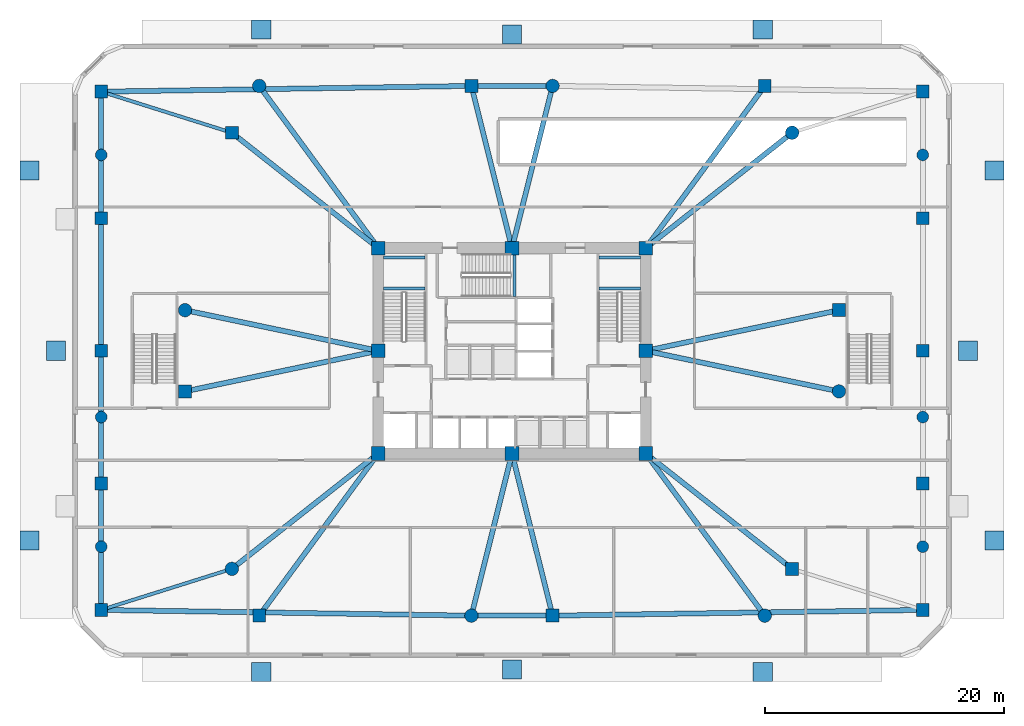
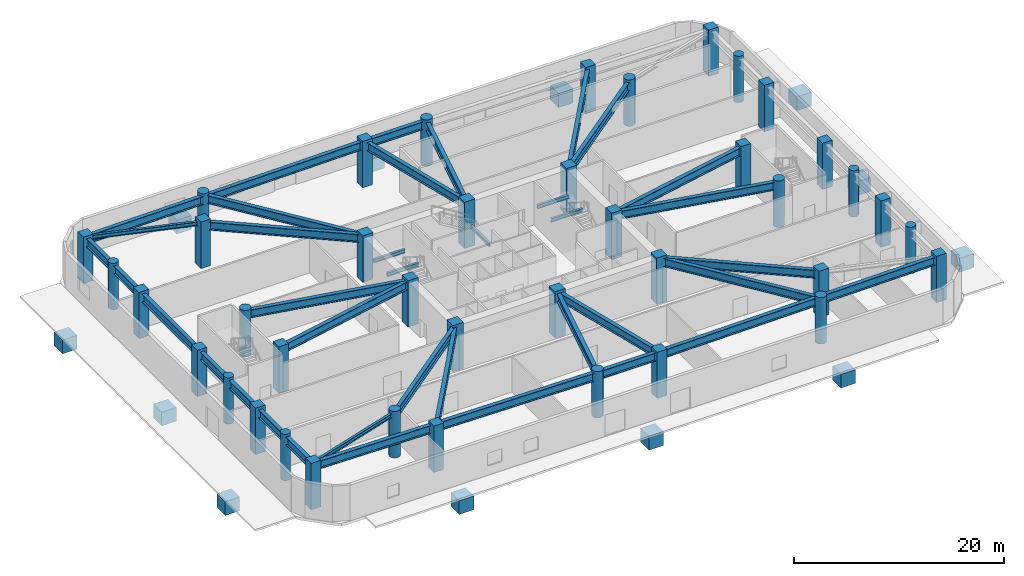
# One storey, part 1 of 9: 40 columns, 32 beams, 12 footings.
"""IFC4 building model written with IfcOpenShell, lengths in metres."""

from ifc_helpers import new_model, si_unit, derived_unit, direction, frame, origin, origin_2d, place, context, subcontext, project, spatial, polyline, rectangle, circle, i_section, outline, extrude, material, layer, layer_set, material_profile, profile_set, type_object, element, save


model = new_model("IFC4")

# Units and contexts
model_context = context("Model", 3, precision=1e-05, world=origin(), true_north=direction((0.0, 1.0)))
body_context = subcontext(model_context, "Body", "Model", "MODEL_VIEW")
ifc_project = project(units=[si_unit("LENGTHUNIT", "METRE"), si_unit("AREAUNIT", "SQUARE_METRE"), si_unit("VOLUMEUNIT", "CUBIC_METRE"), si_unit("PLANEANGLEUNIT", "RADIAN"), si_unit("MASSUNIT", "GRAM", prefix="KILO"), derived_unit("THERMALTRANSMITTANCEUNIT", [(si_unit("POWERUNIT", "WATT"), 1), (si_unit("LENGTHUNIT", "METRE"), -2), (si_unit("THERMODYNAMICTEMPERATUREUNIT", "KELVIN"), -1)])], contexts=[model_context])

# Site, building, storey
site_placement = place(None, origin())
site = spatial("IfcSite", under=ifc_project, at=site_placement, CompositionType="ELEMENT")
building_placement = place(site_placement, origin())
building = spatial("IfcBuilding", under=site, at=building_placement, Name="Koralith Skygarden Medical Center", CompositionType="ELEMENT")
storey_placement = place(building_placement, origin())
storey = spatial("IfcBuildingStorey", under=building, at=storey_placement, Name="L00", CompositionType="ELEMENT", Elevation=0.0)

# Footings
ifc_material_1 = material(Name="Concrete C55/67", Category="concrete")
ifc_layer = layer(ifc_material_1, 1.60009765625)
ifc_layer_set = layer_set([ifc_layer], Name="Concrete C55/67")
footing_type = type_object("IfcFootingType", Name="Plaza Pier Pad Footing 1600", PredefinedType="PAD_FOOTING", material=ifc_layer_set)
footing_1_placement = place(storey_placement, frame((0.0, 0.0, -1.820068359375)))
element("IfcFooting", 1, at=footing_1_placement, inside=storey, type_object=footing_type, Name="Plaza Apron Grade Footing PW-1", PredefinedType="PAD_FOOTING", context=body_context, shape_type="SweptSolid", body=[
    extrude(outline(polyline([(-4.199951171875, 9.199951171875), (-2.60009765625, 9.199951171875), (-2.60009765625, 10.800048828125), (-4.199951171875, 10.800048828125), (-4.199951171875, 9.199951171875)])), origin(), (0.0, 0.0, 1.0), 1.60009765625),
])
footing_2_placement = place(storey_placement, frame((0.0, 0.0, -1.820068359375)))
element("IfcFooting", 2, at=footing_2_placement, inside=storey, type_object=footing_type, Name="Plaza Apron Grade Footing PW-2", PredefinedType="PAD_FOOTING", context=body_context, shape_type="SweptSolid", body=[
    extrude(outline(polyline([(-2.0, 25.10009765625), (-0.39990234375, 25.10009765625), (-0.39990234375, 26.699951171875), (-2.0, 26.699951171875), (-2.0, 25.10009765625)])), origin(), (0.0, 0.0, 1.0), 1.60009765625),
])
footing_3_placement = place(storey_placement, frame((0.0, 0.0, -1.820068359375)))
element("IfcFooting", 3, at=footing_3_placement, inside=storey, type_object=footing_type, Name="Plaza Apron Grade Footing PW-3", PredefinedType="PAD_FOOTING", context=body_context, shape_type="SweptSolid", body=[
    extrude(outline(polyline([(-4.199951171875, 40.199951171875), (-2.60009765625, 40.199951171875), (-2.60009765625, 41.800048828125), (-4.199951171875, 41.800048828125), (-4.199951171875, 40.199951171875)])), origin(), (0.0, 0.0, 1.0), 1.60009765625),
])
footing_4_placement = place(storey_placement, frame((0.0, 0.0, -1.820068359375)))
element("IfcFooting", 4, at=footing_4_placement, inside=storey, type_object=footing_type, Name="Plaza Apron Grade Footing PE-1", PredefinedType="PAD_FOOTING", context=body_context, shape_type="SweptSolid", body=[
    extrude(outline(polyline([(76.60009765625, 9.199951171875), (78.199951171875, 9.199951171875), (78.199951171875, 10.800048828125), (76.60009765625, 10.800048828125), (76.60009765625, 9.199951171875)])), origin(), (0.0, 0.0, 1.0), 1.60009765625),
])
footing_5_placement = place(storey_placement, frame((0.0, 0.0, -1.820068359375)))
element("IfcFooting", 5, at=footing_5_placement, inside=storey, type_object=footing_type, Name="Plaza Apron Grade Footing PE-2", PredefinedType="PAD_FOOTING", context=body_context, shape_type="SweptSolid", body=[
    extrude(outline(polyline([(74.39990234375, 25.10009765625), (76.0, 25.10009765625), (76.0, 26.699951171875), (74.39990234375, 26.699951171875), (74.39990234375, 25.10009765625)])), origin(), (0.0, 0.0, 1.0), 1.60009765625),
])
footing_6_placement = place(storey_placement, frame((0.0, 0.0, -1.820068359375)))
element("IfcFooting", 6, at=footing_6_placement, inside=storey, type_object=footing_type, Name="Plaza Apron Grade Footing PE-3", PredefinedType="PAD_FOOTING", context=body_context, shape_type="SweptSolid", body=[
    extrude(outline(polyline([(76.60009765625, 40.199951171875), (78.199951171875, 40.199951171875), (78.199951171875, 41.800048828125), (76.60009765625, 41.800048828125), (76.60009765625, 40.199951171875)])), origin(), (0.0, 0.0, 1.0), 1.60009765625),
])
footing_7_placement = place(storey_placement, frame((0.0, 0.0, -1.820068359375)))
element("IfcFooting", 7, at=footing_7_placement, inside=storey, type_object=footing_type, Name="Plaza Apron Grade Footing PS-1", PredefinedType="PAD_FOOTING", context=body_context, shape_type="SweptSolid", body=[
    extrude(outline(polyline([(15.199951171875, -1.800048828125), (16.800048828125, -1.800048828125), (16.800048828125, -0.199951171875), (15.199951171875, -0.199951171875), (15.199951171875, -1.800048828125)])), origin(), (0.0, 0.0, 1.0), 1.60009765625),
])
footing_8_placement = place(storey_placement, frame((0.0, 0.0, -1.820068359375)))
element("IfcFooting", 8, at=footing_8_placement, inside=storey, type_object=footing_type, Name="Plaza Apron Grade Footing PS-2", PredefinedType="PAD_FOOTING", context=body_context, shape_type="SweptSolid", body=[
    extrude(outline(polyline([(36.199951171875, -1.60009765625), (37.800048828125, -1.60009765625), (37.800048828125, 0.0), (36.199951171875, 0.0), (36.199951171875, -1.60009765625)])), origin(), (0.0, 0.0, 1.0), 1.60009765625),
])
footing_9_placement = place(storey_placement, frame((0.0, 0.0, -1.820068359375)))
element("IfcFooting", 9, at=footing_9_placement, inside=storey, type_object=footing_type, Name="Plaza Apron Grade Footing PS-3", PredefinedType="PAD_FOOTING", context=body_context, shape_type="SweptSolid", body=[
    extrude(outline(polyline([(57.199951171875, -1.800048828125), (58.800048828125, -1.800048828125), (58.800048828125, -0.199951171875), (57.199951171875, -0.199951171875), (57.199951171875, -1.800048828125)])), origin(), (0.0, 0.0, 1.0), 1.60009765625),
])
footing_10_placement = place(storey_placement, frame((0.0, 0.0, -1.820068359375)))
element("IfcFooting", 10, at=footing_10_placement, inside=storey, type_object=footing_type, Name="Plaza Apron Grade Footing PN-1", PredefinedType="PAD_FOOTING", context=body_context, shape_type="SweptSolid", body=[
    extrude(outline(polyline([(15.199951171875, 52.0), (16.800048828125, 52.0), (16.800048828125, 53.60009765625), (15.199951171875, 53.60009765625), (15.199951171875, 52.0)])), origin(), (0.0, 0.0, 1.0), 1.60009765625),
])
footing_11_placement = place(storey_placement, frame((0.0, 0.0, -1.820068359375)))
element("IfcFooting", 11, at=footing_11_placement, inside=storey, type_object=footing_type, Name="Plaza Apron Grade Footing PN-2", PredefinedType="PAD_FOOTING", context=body_context, shape_type="SweptSolid", body=[
    extrude(outline(polyline([(36.199951171875, 51.60009765625), (37.800048828125, 51.60009765625), (37.800048828125, 53.199951171875), (36.199951171875, 53.199951171875), (36.199951171875, 51.60009765625)])), origin(), (0.0, 0.0, 1.0), 1.60009765625),
])
footing_12_placement = place(storey_placement, frame((0.0, 0.0, -1.820068359375)))
element("IfcFooting", 12, at=footing_12_placement, inside=storey, type_object=footing_type, Name="Plaza Apron Grade Footing PN-3", PredefinedType="PAD_FOOTING", context=body_context, shape_type="SweptSolid", body=[
    extrude(outline(polyline([(57.199951171875, 52.0), (58.800048828125, 52.0), (58.800048828125, 53.60009765625), (57.199951171875, 53.60009765625), (57.199951171875, 52.0)])), origin(), (0.0, 0.0, 1.0), 1.60009765625),
])

# Columns
ifc_material_profile_1 = material_profile(ifc_material_1, circle(Radius=0.489990234375, at=origin_2d()), Name="RCCOL980")
ifc_profile_set_1 = profile_set([ifc_material_profile_1], Name="Concrete C55/67")
column_type_1 = type_object("IfcColumnType", Name="Concourse Entrance Pilaster C55 D980", PredefinedType="PILASTER", material=ifc_profile_set_1)
for number, where, z_axis, x_axis, name in (
    (13, (2.60009765625, 9.5, 0.0), (0.0, 0.0, 1.0), (1.0, 0.0, 0.0), "L00 Concourse Entrance Pilaster PL-01"),
    (14, (2.60009765625, 20.35009765625, 0.0), (0.0, 0.0, 1.0), (1.0, 0.0, 0.0), "L00 Concourse Entrance Pilaster PL-02"),
    (15, (2.60009765625, 42.300048828125, 0.0), (0.0, 0.0, 1.0), (1.0, 0.0, 0.0), "L00 Concourse Entrance Pilaster PL-03"),
    (16, (71.39990234375, 9.5, 0.0), (0.0, 0.0, 1.0), (1.0, 0.0, 0.0), "L00 Concourse Entrance Pilaster PL-04"),
    (17, (71.39990234375, 20.35009765625, 0.0), (0.0, 0.0, 1.0), (1.0, 0.0, 0.0), "L00 Concourse Entrance Pilaster PL-05"),
    (18, (71.39990234375, 42.300048828125, 0.0), (0.0, 0.0, 1.0), (1.0, 0.0, 0.0), "L00 Concourse Entrance Pilaster PL-06"),
):
    element("IfcColumn", number, at=place(storey_placement, frame(where, z_axis=z_axis, x_axis=x_axis)), inside=storey, type_object=column_type_1, Name=name, PredefinedType="PILASTER", context=body_context, shape_type="SweptSolid", body=[
        extrude(circle(Radius=0.489990234375, at=origin_2d()), origin(), (0.0, 0.0, 1.0), 5.39990234375),
    ])
ifc_material_2 = material(Name="Concrete C70/85", Category="concrete")
ifc_material_profile_2 = material_profile(ifc_material_2, rectangle(XDim=1.139892578125, YDim=1.139892578125, at=origin_2d()), Name="RC1140X1140")
ifc_profile_set_2 = profile_set([ifc_material_profile_2], Name="Concrete C70/85")
column_type_2 = type_object("IfcColumnType", Name="Core Mega-Column C70 RC1140", PredefinedType="COLUMN", material=ifc_profile_set_2)
for number, where, z_axis, x_axis, name in (
    (19, (25.800048828125, 17.300048828125, 0.0), (0.0, 0.0, 1.0), (1.0, 0.0, 0.0), "L00 Core Column CC-01"),
    (20, (37.0, 17.300048828125, 0.0), (0.0, 0.0, 1.0), (1.0, 0.0, 0.0), "L00 Core Column CC-02"),
    (21, (48.199951171875, 17.300048828125, 0.0), (0.0, 0.0, 1.0), (1.0, 0.0, 0.0), "L00 Core Column CC-03"),
    (22, (48.199951171875, 25.89990234375, 0.0), (0.0, 0.0, 1.0), (1.0, 0.0, 0.0), "L00 Core Column CC-04"),
    (23, (48.199951171875, 34.5, 0.0), (0.0, 0.0, 1.0), (1.0, 0.0, 0.0), "L00 Core Column CC-05"),
    (24, (37.0, 34.5, 0.0), (0.0, 0.0, 1.0), (1.0, 0.0, 0.0), "L00 Core Column CC-06"),
    (25, (25.800048828125, 34.5, 0.0), (0.0, 0.0, 1.0), (1.0, 0.0, 0.0), "L00 Core Column CC-07"),
    (26, (25.800048828125, 25.89990234375, 0.0), (0.0, 0.0, 1.0), (1.0, 0.0, 0.0), "L00 Core Column CC-08"),
):
    element("IfcColumn", number, at=place(storey_placement, frame(where, z_axis=z_axis, x_axis=x_axis)), inside=storey, type_object=column_type_2, Name=name, PredefinedType="COLUMN", context=body_context, shape_type="SweptSolid", body=[
        extrude(rectangle(XDim=1.139892578125, YDim=1.139892578125, at=origin_2d()), origin(), (0.0, 0.0, 1.0), 5.39990234375),
    ])
ifc_material_profile_3 = material_profile(ifc_material_2, rectangle(XDim=1.080078125, YDim=1.080078125, at=origin_2d()), Name="RC1080X1080")
ifc_profile_set_3 = profile_set([ifc_material_profile_3], Name="Concrete C70/85")
column_type_3 = type_object("IfcColumnType", Name="Podium Perimeter Column C70 RC1080", PredefinedType="COLUMN", material=ifc_profile_set_3)
for number, where, z_axis, x_axis, name in (
    (27, (2.60009765625, 4.199951171875, 0.0), (0.0, 0.0, 1.0), (1.0, 0.0, 0.0), "L00 Podium Perimeter Column PC-01"),
    (28, (2.60009765625, 14.800048828125, 0.0), (0.0, 0.0, 1.0), (1.0, 0.0, 0.0), "L00 Podium Perimeter Column PC-02"),
    (29, (2.60009765625, 25.89990234375, 0.0), (0.0, 0.0, 1.0), (1.0, 0.0, 0.0), "L00 Podium Perimeter Column PC-03"),
    (30, (2.60009765625, 37.0, 0.0), (0.0, 0.0, 1.0), (1.0, 0.0, 0.0), "L00 Podium Perimeter Column PC-04"),
    (31, (2.60009765625, 47.60009765625, 0.0), (0.0, 0.0, 1.0), (1.0, 0.0, 0.0), "L00 Podium Perimeter Column PC-05"),
    (32, (71.39990234375, 4.199951171875, 0.0), (0.0, 0.0, 1.0), (1.0, 0.0, 0.0), "L00 Podium Perimeter Column PC-06"),
    (33, (71.39990234375, 14.800048828125, 0.0), (0.0, 0.0, 1.0), (1.0, 0.0, 0.0), "L00 Podium Perimeter Column PC-07"),
    (34, (71.39990234375, 25.89990234375, 0.0), (0.0, 0.0, 1.0), (1.0, 0.0, 0.0), "L00 Podium Perimeter Column PC-08"),
    (35, (71.39990234375, 37.0, 0.0), (0.0, 0.0, 1.0), (1.0, 0.0, 0.0), "L00 Podium Perimeter Column PC-09"),
    (36, (71.39990234375, 47.60009765625, 0.0), (0.0, 0.0, 1.0), (1.0, 0.0, 0.0), "L00 Podium Perimeter Column PC-10"),
):
    element("IfcColumn", number, at=place(storey_placement, frame(where, z_axis=z_axis, x_axis=x_axis)), inside=storey, type_object=column_type_3, Name=name, PredefinedType="COLUMN", context=body_context, shape_type="SweptSolid", body=[
        extrude(rectangle(XDim=1.080078125, YDim=1.080078125, at=origin_2d()), origin(), (0.0, 0.0, 1.0), 5.39990234375),
    ])
ifc_material_profile_4 = material_profile(ifc_material_2, circle(Radius=0.56005859375, at=origin_2d()), Name="RCCOL1120")
ifc_profile_set_4 = profile_set([ifc_material_profile_4], Name="Concrete C70/85")
column_type_4 = type_object("IfcColumnType", Name="Station Round Mega-Column C70 D1120", PredefinedType="COLUMN", material=ifc_profile_set_4)
for number, where, z_axis, x_axis, name in (
    (37, (13.5400390625, 7.639892578125, 0.0), (0.0, 0.0, 1.0), (1.0, 0.0, 0.0), "L00 Tower Base Mega-Column TB-02"),
    (38, (33.60009765625, 3.719970703125, 0.0), (0.0, 0.0, 1.0), (1.0, 0.0, 0.0), "L00 Tower Base Mega-Column TB-04"),
    (39, (58.16796875, 3.719970703125, 0.0), (0.0, 0.0, 1.0), (1.0, 0.0, 0.0), "L00 Tower Base Mega-Column TB-06"),
    (40, (64.3798828125, 22.5, 0.0), (0.0, 0.0, 1.0), (1.0, 0.0, 0.0), "L00 Tower Base Mega-Column TB-08"),
    (41, (60.4599609375, 44.159912109375, 0.0), (0.0, 0.0, 1.0), (1.0, 0.0, 0.0), "L00 Tower Base Mega-Column TB-10"),
    (42, (40.39990234375, 48.080078125, 0.0), (0.0, 0.0, 1.0), (1.0, 0.0, 0.0), "L00 Tower Base Mega-Column TB-12"),
    (43, (15.83203125, 48.080078125, 0.0), (0.0, 0.0, 1.0), (1.0, 0.0, 0.0), "L00 Tower Base Mega-Column TB-14"),
    (44, (9.6201171875, 29.300048828125, 0.0), (0.0, 0.0, 1.0), (1.0, 0.0, 0.0), "L00 Tower Base Mega-Column TB-16"),
):
    element("IfcColumn", number, at=place(storey_placement, frame(where, z_axis=z_axis, x_axis=x_axis)), inside=storey, type_object=column_type_4, Name=name, PredefinedType="COLUMN", context=body_context, shape_type="SweptSolid", body=[
        extrude(circle(Radius=0.56005859375, at=origin_2d()), origin(), (0.0, 0.0, 1.0), 5.39990234375),
    ])
ifc_material_profile_5 = material_profile(ifc_material_2, rectangle(XDim=1.080078125, YDim=1.080078125, at=origin_2d()), Name="RC1080X1080")
ifc_profile_set_5 = profile_set([ifc_material_profile_5], Name="Concrete C70/85")
column_type_5 = type_object("IfcColumnType", Name="Zone 1 Octagonal Mega-Column C70 RC1080", PredefinedType="COLUMN", material=ifc_profile_set_5)
for number, where, z_axis, x_axis, name in (
    (45, (9.6201171875, 22.5, 0.0), (0.0, 0.0, 1.0), (1.0, 0.0, 0.0), "L00 Tower Base Mega-Column TB-01"),
    (46, (15.83203125, 3.719970703125, 0.0), (0.0, 0.0, 1.0), (1.0, 0.0, 0.0), "L00 Tower Base Mega-Column TB-03"),
    (47, (40.39990234375, 3.719970703125, 0.0), (0.0, 0.0, 1.0), (1.0, 0.0, 0.0), "L00 Tower Base Mega-Column TB-05"),
    (48, (60.4599609375, 7.639892578125, 0.0), (0.0, 0.0, 1.0), (1.0, 0.0, 0.0), "L00 Tower Base Mega-Column TB-07"),
    (49, (64.3798828125, 29.300048828125, 0.0), (0.0, 0.0, 1.0), (1.0, 0.0, 0.0), "L00 Tower Base Mega-Column TB-09"),
    (50, (58.16796875, 48.080078125, 0.0), (0.0, 0.0, 1.0), (1.0, 0.0, 0.0), "L00 Tower Base Mega-Column TB-11"),
    (51, (33.60009765625, 48.080078125, 0.0), (0.0, 0.0, 1.0), (1.0, 0.0, 0.0), "L00 Tower Base Mega-Column TB-13"),
    (52, (13.5400390625, 44.159912109375, 0.0), (0.0, 0.0, 1.0), (1.0, 0.0, 0.0), "L00 Tower Base Mega-Column TB-15"),
):
    element("IfcColumn", number, at=place(storey_placement, frame(where, z_axis=z_axis, x_axis=x_axis)), inside=storey, type_object=column_type_5, Name=name, PredefinedType="COLUMN", context=body_context, shape_type="SweptSolid", body=[
        extrude(rectangle(XDim=1.080078125, YDim=1.080078125, at=origin_2d()), origin(), (0.0, 0.0, 1.0), 5.39990234375),
    ])

# Beams
ifc_material_3 = material(Name="Steel ASTM A992 Grade 50", Category="steel")
ifc_material_profile_6 = material_profile(ifc_material_3, i_section(OverallWidth=0.260009765625, OverallDepth=0.4150390625, WebThickness=0.010009765625, FlangeThickness=0.016845703125, at=origin_2d()), Name="W16X67")
ifc_profile_set_6 = profile_set([ifc_material_profile_6], Name="Steel ASTM A992 Grade 50")
beam_type_1 = type_object("IfcBeamType", Name="Clinical Floor Joist W16X67", PredefinedType="JOIST", material=ifc_profile_set_6)
for number, where, z_axis, x_axis, name in (
    (53, (26.22998046875, 31.110107421875, 2.2919921875), (1.0, 0.0, 0.0), (0.0, 1.0, 0.0), "L00 Stair ST1 Half-Landing Support Beam 1A"),
    (54, (26.22998046875, 33.699951171875, 2.2919921875), (1.0, 0.0, 0.0), (0.0, 1.0, 0.0), "L00 Stair ST1 Half-Landing Support Beam 1B"),
    (55, (44.280029296875, 31.110107421875, 2.2919921875), (1.0, 0.0, 0.0), (0.0, 1.0, 0.0), "L00 Stair ST2 Half-Landing Support Beam 1A"),
    (56, (44.280029296875, 33.699951171875, 2.2919921875), (1.0, 0.0, 0.0), (0.0, 1.0, 0.0), "L00 Stair ST2 Half-Landing Support Beam 1B"),
):
    element("IfcBeam", number, at=place(storey_placement, frame(where, z_axis=z_axis, x_axis=x_axis)), inside=storey, type_object=beam_type_1, Name=name, PredefinedType="JOIST", context=body_context, shape_type="SweptSolid", body=[
        extrude(i_section(OverallWidth=0.260009765625, OverallDepth=0.4150390625, WebThickness=0.010009765625, FlangeThickness=0.016845703125, at=origin_2d()), origin(), (0.0, 0.0, 1.0), 3.489990234375),
    ])
beam_1_placement = place(storey_placement, frame((37.2099609375, 30.43994140625, 2.2919921875), z_axis=(0.0, 1.0, 0.0), x_axis=(-1.0, 0.0, 0.0)))
element("IfcBeam", 57, at=beam_1_placement, inside=storey, type_object=beam_type_1, Name="L00 Stair ST3 Half-Landing Support Beam 1A", PredefinedType="JOIST", context=body_context, shape_type="SweptSolid", body=[
    extrude(i_section(OverallWidth=0.260009765625, OverallDepth=0.4150390625, WebThickness=0.010009765625, FlangeThickness=0.016845703125, at=origin_2d()), origin(), (0.0, 0.0, 1.0), 3.630126953125),
])
ifc_material_profile_7 = material_profile(ifc_material_3, i_section(OverallWidth=0.423095703125, OverallDepth=0.947998046875, WebThickness=0.02392578125, FlangeThickness=0.042724609375, at=origin_2d()), Name="W36X302")
ifc_profile_set_7 = profile_set([ifc_material_profile_7], Name="Steel ASTM A992 Grade 50")
beam_type_2 = type_object("IfcBeamType", Name="Podium Concourse Girder W36X302", PredefinedType="BEAM", material=ifc_profile_set_7)
beam_2_placement = place(storey_placement, frame((2.60009765625, 14.280029296875, 4.6259765625), z_axis=(0.0, -1.0, 0.0), x_axis=(1.0, 0.0, 0.0)))
element("IfcBeam", 58, at=beam_2_placement, inside=storey, type_object=beam_type_2, Name="L00 Podium Perimeter Beam PB-01", PredefinedType="BEAM", context=body_context, shape_type="SweptSolid", body=[
    extrude(i_section(OverallWidth=0.423095703125, OverallDepth=0.947998046875, WebThickness=0.02392578125, FlangeThickness=0.042724609375, at=origin_2d()), origin(), (0.0, 0.0, 1.0), 9.56005859375),
])
beam_3_placement = place(storey_placement, frame((3.1201171875, 4.19189453125, 4.6259765625), z_axis=(0.999880161393, -0.015481048165, 0.0), x_axis=(0.015481048165, 0.999880161393, 0.0)))
element("IfcBeam", 59, at=beam_3_placement, inside=storey, type_object=beam_type_2, Name="L00 Podium Perimeter Beam PB-02", PredefinedType="BEAM", context=body_context, shape_type="SweptSolid", body=[
    extrude(i_section(OverallWidth=0.423095703125, OverallDepth=0.947998046875, WebThickness=0.02392578125, FlangeThickness=0.042724609375, at=origin_2d()), origin(), (0.0, 0.0, 1.0), 29.963623046875),
])
beam_4_placement = place(storey_placement, frame((34.1201171875, 3.719970703125, 4.6259765625), z_axis=(1.0, 0.0, 0.0), x_axis=(0.0, 1.0, 0.0)))
element("IfcBeam", 60, at=beam_4_placement, inside=storey, type_object=beam_type_2, Name="L00 Podium Perimeter Beam PB-03", PredefinedType="BEAM", context=body_context, shape_type="SweptSolid", body=[
    extrude(i_section(OverallWidth=0.423095703125, OverallDepth=0.947998046875, WebThickness=0.02392578125, FlangeThickness=0.042724609375, at=origin_2d()), origin(), (0.0, 0.0, 1.0), 5.759765625),
])
beam_5_placement = place(storey_placement, frame((40.919921875, 3.72802734375, 4.6259765625), z_axis=(0.999880161393, 0.015481048165, 0.0), x_axis=(-0.015481048165, 0.999880161393, 0.0)))
element("IfcBeam", 61, at=beam_5_placement, inside=storey, type_object=beam_type_2, Name="L00 Podium Perimeter Beam PB-04", PredefinedType="BEAM", context=body_context, shape_type="SweptSolid", body=[
    extrude(i_section(OverallWidth=0.423095703125, OverallDepth=0.947998046875, WebThickness=0.02392578125, FlangeThickness=0.042724609375, at=origin_2d()), origin(), (0.0, 0.0, 1.0), 29.963623046875),
])
beam_6_placement = place(storey_placement, frame((39.8798828125, 48.080078125, 4.6259765625), z_axis=(-1.0, 0.0, 0.0), x_axis=(0.0, -1.0, 0.0)))
element("IfcBeam", 62, at=beam_6_placement, inside=storey, type_object=beam_type_2, Name="L00 Podium Perimeter Beam PB-10", PredefinedType="BEAM", context=body_context, shape_type="SweptSolid", body=[
    extrude(i_section(OverallWidth=0.423095703125, OverallDepth=0.947998046875, WebThickness=0.02392578125, FlangeThickness=0.042724609375, at=origin_2d()), origin(), (0.0, 0.0, 1.0), 5.759765625),
])
beam_7_placement = place(storey_placement, frame((33.080078125, 48.072021484375, 4.6259765625), z_axis=(-0.999880035237, -0.015489194131, 0.0), x_axis=(0.015489194131, -0.999880035237, 0.0)))
element("IfcBeam", 63, at=beam_7_placement, inside=storey, type_object=beam_type_2, Name="L00 Podium Perimeter Beam PB-11", PredefinedType="BEAM", context=body_context, shape_type="SweptSolid", body=[
    extrude(i_section(OverallWidth=0.423095703125, OverallDepth=0.947998046875, WebThickness=0.02392578125, FlangeThickness=0.042724609375, at=origin_2d()), origin(), (0.0, 0.0, 1.0), 29.963623046875),
])
beam_8_placement = place(storey_placement, frame((2.60009765625, 47.080078125, 4.6259765625), z_axis=(0.0, -1.0, 0.0), x_axis=(1.0, 0.0, 0.0)))
element("IfcBeam", 64, at=beam_8_placement, inside=storey, type_object=beam_type_2, Name="L00 Podium Perimeter Beam PB-12", PredefinedType="BEAM", context=body_context, shape_type="SweptSolid", body=[
    extrude(i_section(OverallWidth=0.423095703125, OverallDepth=0.947998046875, WebThickness=0.02392578125, FlangeThickness=0.042724609375, at=origin_2d()), origin(), (0.0, 0.0, 1.0), 9.56005859375),
])
beam_9_placement = place(storey_placement, frame((2.60009765625, 36.47998046875, 4.6259765625), z_axis=(0.0, -1.0, 0.0), x_axis=(1.0, 0.0, 0.0)))
element("IfcBeam", 65, at=beam_9_placement, inside=storey, type_object=beam_type_2, Name="L00 Podium Perimeter Beam PB-13", PredefinedType="BEAM", context=body_context, shape_type="SweptSolid", body=[
    extrude(i_section(OverallWidth=0.423095703125, OverallDepth=0.947998046875, WebThickness=0.02392578125, FlangeThickness=0.042724609375, at=origin_2d()), origin(), (0.0, 0.0, 1.0), 10.06005859375),
])
beam_10_placement = place(storey_placement, frame((2.60009765625, 25.3798828125, 4.6259765625), z_axis=(0.0, -1.0, 0.0), x_axis=(1.0, 0.0, 0.0)))
element("IfcBeam", 66, at=beam_10_placement, inside=storey, type_object=beam_type_2, Name="L00 Podium Perimeter Beam PB-14", PredefinedType="BEAM", context=body_context, shape_type="SweptSolid", body=[
    extrude(i_section(OverallWidth=0.423095703125, OverallDepth=0.947998046875, WebThickness=0.02392578125, FlangeThickness=0.042724609375, at=origin_2d()), origin(), (0.0, 0.0, 1.0), 10.059814453125),
])
beam_11_placement = place(storey_placement, frame((25.251953125, 25.784912109375, 4.6259765625), z_axis=(-0.978625652149, -0.205649782288, 0.0), x_axis=(0.205649782288, -0.978625652149, 0.0)))
element("IfcBeam", 67, at=beam_11_placement, inside=storey, type_object=beam_type_2, Name="L00 Podium Radial Girder PRG-01", PredefinedType="BEAM", context=body_context, shape_type="SweptSolid", body=[
    extrude(i_section(OverallWidth=0.423095703125, OverallDepth=0.947998046875, WebThickness=0.02392578125, FlangeThickness=0.042724609375, at=origin_2d()), origin(), (0.0, 0.0, 1.0), 15.453369140625),
])
beam_12_placement = place(storey_placement, frame((25.360107421875, 16.952880859375, 4.6259765625), z_axis=(-0.785504791859, -0.618855574401, 0.0), x_axis=(0.618855574401, -0.785504791859, 0.0)))
element("IfcBeam", 68, at=beam_12_placement, inside=storey, type_object=beam_type_2, Name="L00 Podium Radial Girder PRG-02", PredefinedType="BEAM", context=body_context, shape_type="SweptSolid", body=[
    extrude(i_section(OverallWidth=0.423095703125, OverallDepth=0.947998046875, WebThickness=0.02392578125, FlangeThickness=0.042724609375, at=origin_2d()), origin(), (0.0, 0.0, 1.0), 14.5283203125),
])
beam_13_placement = place(storey_placement, frame((25.468994140625, 16.84912109375, 4.6259765625), z_axis=(-0.59170530555, -0.806154347122, 0.0), x_axis=(0.806154347122, -0.59170530555, 0.0)))
element("IfcBeam", 69, at=beam_13_placement, inside=storey, type_object=beam_type_2, Name="L00 Podium Radial Girder PRG-03", PredefinedType="BEAM", context=body_context, shape_type="SweptSolid", body=[
    extrude(i_section(OverallWidth=0.423095703125, OverallDepth=0.947998046875, WebThickness=0.02392578125, FlangeThickness=0.042724609375, at=origin_2d()), origin(), (0.0, 0.0, 1.0), 15.766357421875),
])
for number, where, z_axis, x_axis, name in (
    (70, (36.864013671875, 16.757080078125, 4.6259765625), (-0.242877971824, -0.970056849263, 0.0), (0.970056849263, -0.242877971824, 0.0), "L00 Podium Radial Girder PRG-04"),
    (71, (37.135986328125, 16.757080078125, 4.6259765625), (0.242877971824, -0.970056849263, 0.0), (0.970056849263, 0.242877971824, 0.0), "L00 Podium Radial Girder PRG-05"),
):
    element("IfcBeam", number, at=place(storey_placement, frame(where, z_axis=z_axis, x_axis=x_axis)), inside=storey, type_object=beam_type_2, Name=name, PredefinedType="BEAM", context=body_context, shape_type="SweptSolid", body=[
        extrude(i_section(OverallWidth=0.423095703125, OverallDepth=0.947998046875, WebThickness=0.02392578125, FlangeThickness=0.042724609375, at=origin_2d()), origin(), (0.0, 0.0, 1.0), 12.919921875),
    ])
beam_14_placement = place(storey_placement, frame((48.531005859375, 16.84912109375, 4.6259765625), z_axis=(0.59170530555, -0.806154347122, 0.0), x_axis=(0.806154347122, 0.59170530555, 0.0)))
element("IfcBeam", 72, at=beam_14_placement, inside=storey, type_object=beam_type_2, Name="L00 Podium Radial Girder PRG-06", PredefinedType="BEAM", context=body_context, shape_type="SweptSolid", body=[
    extrude(i_section(OverallWidth=0.423095703125, OverallDepth=0.947998046875, WebThickness=0.02392578125, FlangeThickness=0.042724609375, at=origin_2d()), origin(), (0.0, 0.0, 1.0), 15.766357421875),
])
beam_15_placement = place(storey_placement, frame((48.639892578125, 16.952880859375, 4.6259765625), z_axis=(0.785504791859, -0.618855574401, 0.0), x_axis=(0.618855574401, 0.785504791859, 0.0)))
element("IfcBeam", 73, at=beam_15_placement, inside=storey, type_object=beam_type_2, Name="L00 Podium Radial Girder PRG-07", PredefinedType="BEAM", context=body_context, shape_type="SweptSolid", body=[
    extrude(i_section(OverallWidth=0.423095703125, OverallDepth=0.947998046875, WebThickness=0.02392578125, FlangeThickness=0.042724609375, at=origin_2d()), origin(), (0.0, 0.0, 1.0), 14.5283203125),
])
for number, where, z_axis, x_axis, name in (
    (74, (48.748046875, 25.784912109375, 4.6259765625), (0.978625652149, -0.205649782288, 0.0), (0.205649782288, 0.978625652149, 0.0), "L00 Podium Radial Girder PRG-08"),
    (75, (48.748046875, 26.014892578125, 4.6259765625), (0.978622472518, 0.205664912619, 0.0), (-0.205664912619, 0.978622472518, 0.0), "L00 Podium Radial Girder PRG-09"),
):
    element("IfcBeam", number, at=place(storey_placement, frame(where, z_axis=z_axis, x_axis=x_axis)), inside=storey, type_object=beam_type_2, Name=name, PredefinedType="BEAM", context=body_context, shape_type="SweptSolid", body=[
        extrude(i_section(OverallWidth=0.423095703125, OverallDepth=0.947998046875, WebThickness=0.02392578125, FlangeThickness=0.042724609375, at=origin_2d()), origin(), (0.0, 0.0, 1.0), 15.453369140625),
    ])
beam_16_placement = place(storey_placement, frame((48.639892578125, 34.846923828125, 4.6259765625), z_axis=(0.785504791859, 0.618855574401, 0.0), x_axis=(-0.618855574401, 0.785504791859, 0.0)))
element("IfcBeam", 76, at=beam_16_placement, inside=storey, type_object=beam_type_2, Name="L00 Podium Radial Girder PRG-10", PredefinedType="BEAM", context=body_context, shape_type="SweptSolid", body=[
    extrude(i_section(OverallWidth=0.423095703125, OverallDepth=0.947998046875, WebThickness=0.02392578125, FlangeThickness=0.042724609375, at=origin_2d()), origin(), (0.0, 0.0, 1.0), 14.5283203125),
])
beam_17_placement = place(storey_placement, frame((48.531005859375, 34.950927734375, 4.6259765625), z_axis=(0.591712691958, 0.806148925556, 0.0), x_axis=(-0.806148925556, 0.591712691958, 0.0)))
element("IfcBeam", 77, at=beam_17_placement, inside=storey, type_object=beam_type_2, Name="L00 Podium Radial Girder PRG-11", PredefinedType="BEAM", context=body_context, shape_type="SweptSolid", body=[
    extrude(i_section(OverallWidth=0.423095703125, OverallDepth=0.947998046875, WebThickness=0.02392578125, FlangeThickness=0.042724609375, at=origin_2d()), origin(), (0.0, 0.0, 1.0), 15.766357421875),
])
for number, where, z_axis, x_axis, name in (
    (78, (37.135986328125, 35.04296875, 4.6259765625), (0.242877971824, 0.970056849263, 0.0), (-0.970056849263, 0.242877971824, 0.0), "L00 Podium Radial Girder PRG-12"),
    (79, (36.864013671875, 35.04296875, 4.6259765625), (-0.242877971824, 0.970056849263, 0.0), (-0.970056849263, -0.242877971824, 0.0), "L00 Podium Radial Girder PRG-13"),
):
    element("IfcBeam", number, at=place(storey_placement, frame(where, z_axis=z_axis, x_axis=x_axis)), inside=storey, type_object=beam_type_2, Name=name, PredefinedType="BEAM", context=body_context, shape_type="SweptSolid", body=[
        extrude(i_section(OverallWidth=0.423095703125, OverallDepth=0.947998046875, WebThickness=0.02392578125, FlangeThickness=0.042724609375, at=origin_2d()), origin(), (0.0, 0.0, 1.0), 12.919921875),
    ])
beam_18_placement = place(storey_placement, frame((25.468994140625, 34.950927734375, 4.6259765625), z_axis=(-0.591712691958, 0.806148925556, 0.0), x_axis=(-0.806148925556, -0.591712691958, 0.0)))
element("IfcBeam", 80, at=beam_18_placement, inside=storey, type_object=beam_type_2, Name="L00 Podium Radial Girder PRG-14", PredefinedType="BEAM", context=body_context, shape_type="SweptSolid", body=[
    extrude(i_section(OverallWidth=0.423095703125, OverallDepth=0.947998046875, WebThickness=0.02392578125, FlangeThickness=0.042724609375, at=origin_2d()), origin(), (0.0, 0.0, 1.0), 15.766357421875),
])
beam_19_placement = place(storey_placement, frame((25.360107421875, 34.846923828125, 4.6259765625), z_axis=(-0.785504791859, 0.618855574401, 0.0), x_axis=(-0.618855574401, -0.785504791859, 0.0)))
element("IfcBeam", 81, at=beam_19_placement, inside=storey, type_object=beam_type_2, Name="L00 Podium Radial Girder PRG-15", PredefinedType="BEAM", context=body_context, shape_type="SweptSolid", body=[
    extrude(i_section(OverallWidth=0.423095703125, OverallDepth=0.947998046875, WebThickness=0.02392578125, FlangeThickness=0.042724609375, at=origin_2d()), origin(), (0.0, 0.0, 1.0), 14.5283203125),
])
beam_20_placement = place(storey_placement, frame((25.251953125, 26.014892578125, 4.6259765625), z_axis=(-0.978622472518, 0.205664912619, 0.0), x_axis=(-0.205664912619, -0.978622472518, 0.0)))
element("IfcBeam", 82, at=beam_20_placement, inside=storey, type_object=beam_type_2, Name="L00 Podium Radial Girder PRG-16", PredefinedType="BEAM", context=body_context, shape_type="SweptSolid", body=[
    extrude(i_section(OverallWidth=0.423095703125, OverallDepth=0.947998046875, WebThickness=0.02392578125, FlangeThickness=0.042724609375, at=origin_2d()), origin(), (0.0, 0.0, 1.0), 15.453369140625),
])
ifc_material_profile_8 = material_profile(ifc_material_3, i_section(OverallWidth=0.281982421875, OverallDepth=0.467041015625, WebThickness=0.01220703125, FlangeThickness=0.01953125, at=origin_2d()), Name="W18X86")
ifc_profile_set_8 = profile_set([ifc_material_profile_8], Name="Steel ASTM A992 Grade 50")
beam_type_3 = type_object("IfcBeamType", Name="Podium Floor Joist W18X86", PredefinedType="JOIST", material=ifc_profile_set_8)
for number, where, z_axis, x_axis, name in (
    (83, (13.0439453125, 7.48388671875, 4.865966796875), (-0.953954869198, -0.299950175084, 0.0), (0.299950175084, -0.953954869198, 0.0), "L00 Podium Floor Joist PJ-01"),
    (84, (13.0439453125, 44.31591796875, 4.865966796875), (-0.95394817002, 0.29997148017, 0.0), (-0.29997148017, -0.95394817002, 0.0), "L00 Podium Floor Joist PJ-02"),
):
    element("IfcBeam", number, at=place(storey_placement, frame(where, z_axis=z_axis, x_axis=x_axis)), inside=storey, type_object=beam_type_3, Name=name, PredefinedType="JOIST", context=body_context, shape_type="SweptSolid", body=[
        extrude(i_section(OverallWidth=0.281982421875, OverallDepth=0.467041015625, WebThickness=0.01220703125, FlangeThickness=0.01953125, at=origin_2d()), origin(), (0.0, 0.0, 1.0), 10.42822265625),
    ])

save(model, "model.ifc")
